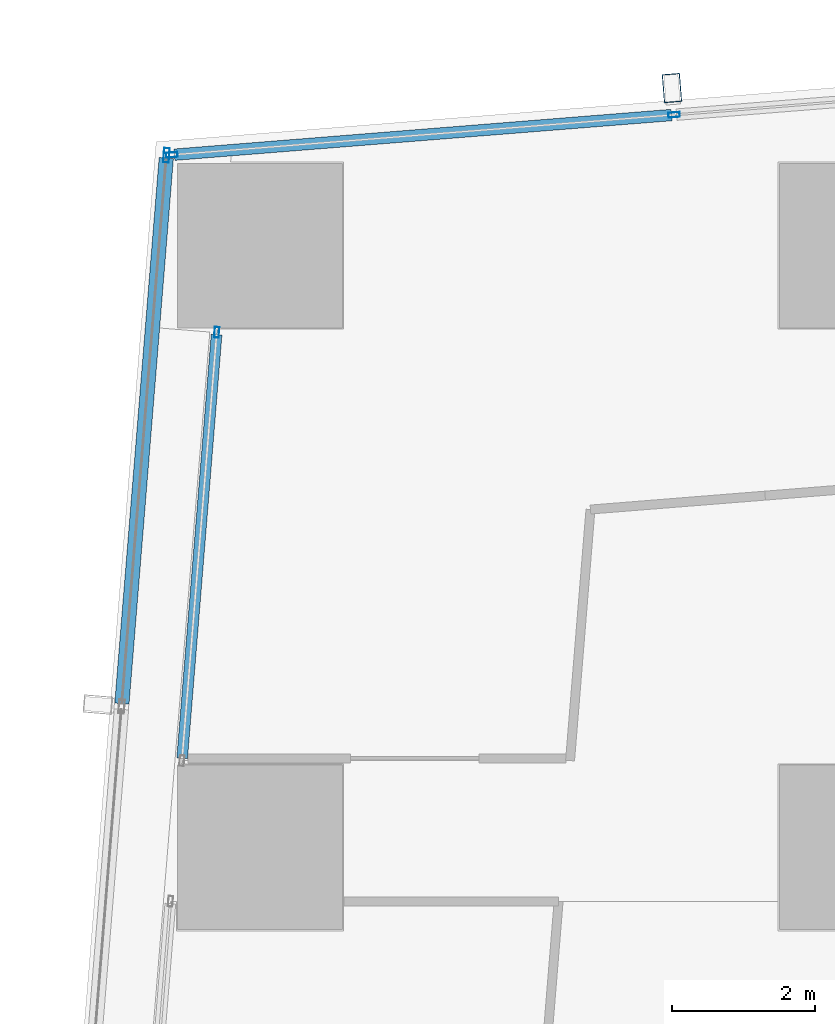
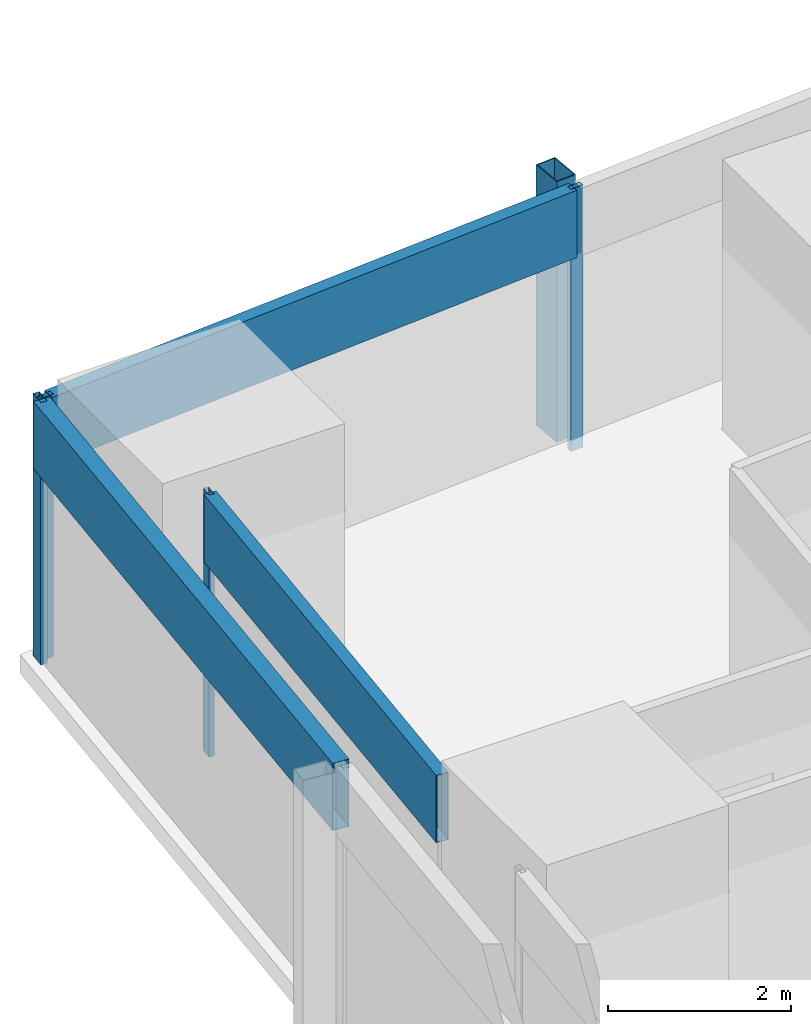
# One storey, part 14 of 32: 8 members, 3 elements without a shape of their own.
"""IFC4 building model written with IfcOpenShell, lengths in metres."""

from ifc_helpers import new_model, si_unit, direction, frame, origin, origin_2d, place, context, subcontext, project, spatial, hollow_rectangle, extrude, material, material_profile, profile_set, type_object, element, aggregate, save


model = new_model("IFC4")

# Units and contexts
model_context = context("Model", 3, precision=1e-05, world=origin(), true_north=direction((0.0, 1.0)))
body_context = subcontext(model_context, "Body", "Model", "MODEL_VIEW")
ifc_project = project(units=[si_unit("LENGTHUNIT", "METRE"), si_unit("AREAUNIT", "SQUARE_METRE"), si_unit("VOLUMEUNIT", "CUBIC_METRE"), si_unit("PLANEANGLEUNIT", "RADIAN"), si_unit("MASSUNIT", "GRAM", prefix="KILO")], contexts=[model_context])

# Site, building, storey
site_placement = place(None, origin())
site = spatial("IfcSite", under=ifc_project, at=site_placement, CompositionType="ELEMENT")
building_placement = place(site_placement, origin())
building = spatial("IfcBuilding", under=site, at=building_placement, Name="Rekha Terrace Tower", CompositionType="ELEMENT")
storey_placement = place(building_placement, frame((0.0, 0.0, 250.10009765625)))
storey = spatial("IfcBuildingStorey", under=building, at=storey_placement, Name="L63", CompositionType="ELEMENT", Elevation=250.10009765625)

# Curtain wall, member
ifc_material_1 = material(Name="Aluminium framing", Category="aluminium")
curtain_wall_type_1 = type_object("IfcCurtainWallType", Name="CW3 north unitised glazing", PredefinedType="USERDEFINED", material=ifc_material_1)
curtain_wall_1_placement = place(storey_placement, origin())
curtain_wall_1 = element("IfcCurtainWall", 1, at=curtain_wall_1_placement, inside=storey, type_object=curtain_wall_type_1, Name="CW3 unitised curtain wall", ObjectType="UNITISED CURTAIN WALL", PredefinedType="USERDEFINED")
ifc_material_2 = material(Name="Steel S355 with fluorocarbon finish", Category="steel")
ifc_material_profile_1 = material_profile(ifc_material_2, hollow_rectangle(XDim=0.25, YDim=0.39990234375, WallThickness=0.012451171875, at=origin_2d()), Name="RHS400x250x12.5")
ifc_profile_set_1 = profile_set([ifc_material_profile_1], Name="Steel S355 with fluorocarbon finish")
member_type_1 = type_object("IfcMemberType", Name="BL1 facade blade RHS 400 x 250", PredefinedType="USERDEFINED", material=ifc_profile_set_1)
member_1_placement = place(storey_placement, frame((14.1513671875, 52.599853515625, 0.02001953125), z_axis=(0.0, 0.0, 1.0), x_axis=(-0.996836012392, -0.079485623849, 0.0)))
member_1 = element("IfcMember", 2, at=member_1_placement, type_object=member_type_1, Name="Facade blade", ObjectType="FACADE BLADE", PredefinedType="USERDEFINED", context=body_context, shape_type="SweptSolid", body=[
    extrude(hollow_rectangle(XDim=0.25, YDim=0.39990234375, WallThickness=0.012451171875, at=origin_2d()), origin(), (0.0, 0.0, 1.0), 3.47998046875),
])

# Curtain wall, members
curtain_wall_type_2 = type_object("IfcCurtainWallType", Name="CW1 double skin inner glazing", PredefinedType="USERDEFINED", material=ifc_material_1)
curtain_wall_2_placement = place(storey_placement, origin())
curtain_wall_2 = element("IfcCurtainWall", 3, at=curtain_wall_2_placement, inside=storey, type_object=curtain_wall_type_2, Name="CW1 double skin inner glazing", ObjectType="DOUBLE SKIN INNER GLAZING", PredefinedType="USERDEFINED")
ifc_material_3 = material(Name="Aluminium mullion section", Category="aluminium")
ifc_material_profile_2 = material_profile(ifc_material_3, hollow_rectangle(XDim=0.06494140625, YDim=0.14990234375, WallThickness=0.00390625, at=origin_2d()), Name="AL RHS 65x150")
ifc_profile_set_2 = profile_set([ifc_material_profile_2], Name="Aluminium mullion section")
member_type_2 = type_object("IfcMemberType", Name="CW1 mullion RHS 65 x 150", PredefinedType="MULLION", material=ifc_profile_set_2)
member_2_placement = place(storey_placement, frame((7.797119140625, 49.18994140625, 0.0), z_axis=(0.0, 0.0, 1.0), x_axis=(0.996708580514, -0.081067906903, 0.0)))
member_2 = element("IfcMember", 4, at=member_2_placement, type_object=member_type_2, Name="CW1 mullion 1", PredefinedType="MULLION", context=body_context, shape_type="SweptSolid", body=[
    extrude(hollow_rectangle(XDim=0.06494140625, YDim=0.14990234375, WallThickness=0.00390625, at=origin_2d()), origin(), (0.0, 0.0, 1.0), 3.5),
])
ifc_material_4 = material(Name="Insulated aluminium spandrel box", Category="aluminium")
ifc_material_profile_3 = material_profile(ifc_material_4, hollow_rectangle(XDim=0.14990234375, YDim=0.89990234375, WallThickness=0.0029296875, at=origin_2d()), Name="AL SPANDREL BOX 150x900")
ifc_profile_set_3 = profile_set([ifc_material_profile_3], Name="Insulated aluminium spandrel box")
member_type_3 = type_object("IfcMemberType", Name="CW1 spandrel transom 150 x 900", PredefinedType="USERDEFINED", material=ifc_profile_set_3)
member_3_placement = place(storey_placement, frame((7.79443359375, 49.157470703125, 3.0498046875), z_axis=(-0.081043413719, -0.996710572379, 0.0), x_axis=(0.996710572379, -0.081043413719, 0.0)))
member_3 = element("IfcMember", 5, at=member_3_placement, type_object=member_type_3, Name="CW1 spandrel transom 1", ObjectType="TRANSOM", PredefinedType="USERDEFINED", context=body_context, shape_type="SweptSolid", body=[
    extrude(hollow_rectangle(XDim=0.14990234375, YDim=0.89990234375, WallThickness=0.0029296875, at=origin_2d()), origin(), (0.0, 0.0, 1.0), 5.9345703125),
])
aggregate(curtain_wall_2, [member_2, member_3])

curtain_wall_type_3 = type_object("IfcCurtainWallType", Name="CW2 double skin outer glazing", PredefinedType="USERDEFINED", material=ifc_material_1)
curtain_wall_3_placement = place(storey_placement, origin())
curtain_wall_3 = element("IfcCurtainWall", 6, at=curtain_wall_3_placement, inside=storey, type_object=curtain_wall_type_3, Name="CW2 double skin outer glazing", ObjectType="DOUBLE SKIN OUTER GLAZING", PredefinedType="USERDEFINED")
ifc_material_profile_4 = material_profile(ifc_material_3, hollow_rectangle(XDim=0.080078125, YDim=0.199951171875, WallThickness=0.00390625, at=origin_2d()), Name="AL RHS 80x200")
ifc_profile_set_4 = profile_set([ifc_material_profile_4], Name="Aluminium mullion section")
member_type_4 = type_object("IfcMemberType", Name="CW2 mullion RHS 80 x 200", PredefinedType="MULLION", material=ifc_profile_set_4)
member_4_placement = place(storey_placement, frame((7.09521484375, 51.661376953125, 0.0), z_axis=(0.0, 0.0, 1.0), x_axis=(0.996708580521, -0.081067906816, 0.0)))
member_4 = element("IfcMember", 7, at=member_4_placement, type_object=member_type_4, Name="CW2 mullion 1", PredefinedType="MULLION", context=body_context, shape_type="SweptSolid", body=[
    extrude(hollow_rectangle(XDim=0.080078125, YDim=0.199951171875, WallThickness=0.00390625, at=origin_2d()), origin(), (0.0, 0.0, 1.0), 3.5),
])
ifc_material_profile_5 = material_profile(ifc_material_4, hollow_rectangle(XDim=0.199951171875, YDim=0.89990234375, WallThickness=0.0029296875, at=origin_2d()), Name="AL SPANDREL BOX 200x900")
ifc_profile_set_5 = profile_set([ifc_material_profile_5], Name="Insulated aluminium spandrel box")
member_type_5 = type_object("IfcMemberType", Name="CW2 spandrel transom 200 x 900", PredefinedType="USERDEFINED", material=ifc_profile_set_5)
member_5_placement = place(storey_placement, frame((7.092041015625, 51.62158203125, 3.0498046875), z_axis=(-0.081093832935, -0.996706471465, 0.0), x_axis=(0.996706471465, -0.081093832935, 0.0)))
member_5 = element("IfcMember", 8, at=member_5_placement, type_object=member_type_5, Name="CW2 spandrel transom 1", ObjectType="TRANSOM", PredefinedType="USERDEFINED", context=body_context, shape_type="SweptSolid", body=[
    extrude(hollow_rectangle(XDim=0.199951171875, YDim=0.89990234375, WallThickness=0.0029296875, at=origin_2d()), origin(), (0.0, 0.0, 1.0), 7.640869140625),
])
aggregate(curtain_wall_3, [member_4, member_5])

# Member
ifc_material_profile_6 = material_profile(ifc_material_3, hollow_rectangle(XDim=0.070068359375, YDim=0.159912109375, WallThickness=0.00390625, at=origin_2d()), Name="AL RHS 70x160")
ifc_profile_set_6 = profile_set([ifc_material_profile_6], Name="Aluminium mullion section")
member_type_6 = type_object("IfcMemberType", Name="CW3 mullion RHS 70 x 160", PredefinedType="MULLION", material=ifc_profile_set_6)
member_6_placement = place(storey_placement, frame((14.18115234375, 52.22607421875, 0.0), z_axis=(0.0, 0.0, 1.0), x_axis=(0.07948505154, -0.996836058026, 0.0)))
member_6 = element("IfcMember", 9, at=member_6_placement, type_object=member_type_6, Name="CW3 mullion 3", PredefinedType="MULLION", context=body_context, shape_type="SweptSolid", body=[
    extrude(hollow_rectangle(XDim=0.070068359375, YDim=0.159912109375, WallThickness=0.00390625, at=origin_2d()), origin(), (0.0, 0.0, 1.0), 3.5),
])

member_7_placement = place(storey_placement, frame((7.17041015625, 51.6669921875, 0.0), z_axis=(0.0, 0.0, 1.0), x_axis=(0.07948505154, -0.996836058026, 0.0)))
member_7 = element("IfcMember", 10, at=member_7_placement, type_object=member_type_6, Name="CW3 mullion 4", PredefinedType="MULLION", context=body_context, shape_type="SweptSolid", body=[
    extrude(hollow_rectangle(XDim=0.070068359375, YDim=0.159912109375, WallThickness=0.00390625, at=origin_2d()), origin(), (0.0, 0.0, 1.0), 3.5),
])

ifc_material_profile_7 = material_profile(ifc_material_4, hollow_rectangle(XDim=0.159912109375, YDim=0.89990234375, WallThickness=0.0029296875, at=origin_2d()), Name="AL SPANDREL BOX 160x900")
ifc_profile_set_7 = profile_set([ifc_material_profile_7], Name="Insulated aluminium spandrel box")
member_type_7 = type_object("IfcMemberType", Name="CW3 spandrel transom 160 x 900", PredefinedType="USERDEFINED", material=ifc_profile_set_7)
member_8_placement = place(storey_placement, frame((14.146240234375, 52.22314453125, 3.0498046875), z_axis=(-0.996835870382, -0.079487404789, 0.0), x_axis=(0.079487404789, -0.996835870382, 0.0)))
member_8 = element("IfcMember", 11, at=member_8_placement, type_object=member_type_7, Name="CW3 spandrel transom 3", ObjectType="TRANSOM", PredefinedType="USERDEFINED", context=body_context, shape_type="SweptSolid", body=[
    extrude(hollow_rectangle(XDim=0.159912109375, YDim=0.89990234375, WallThickness=0.0029296875, at=origin_2d()), origin(), (0.0, 0.0, 1.0), 6.962890625),
])

aggregate(curtain_wall_1, [member_6, member_7, member_8, member_1])

save(model, "model.ifc")
